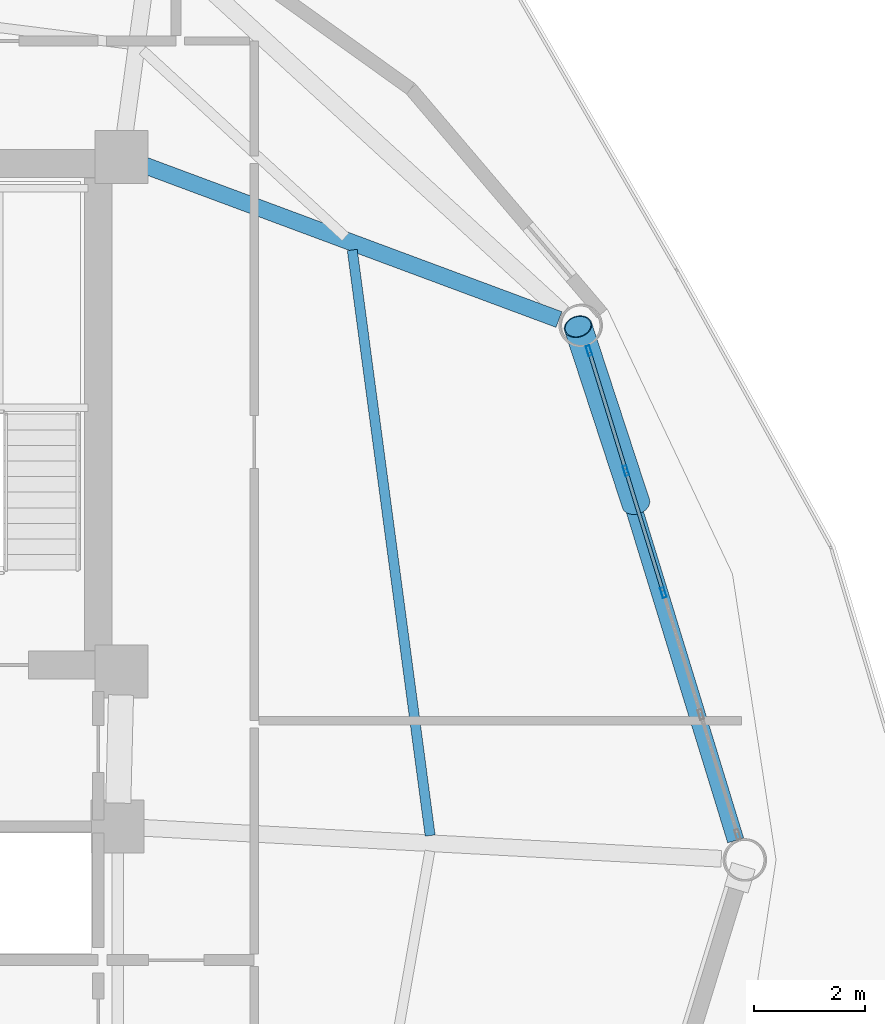
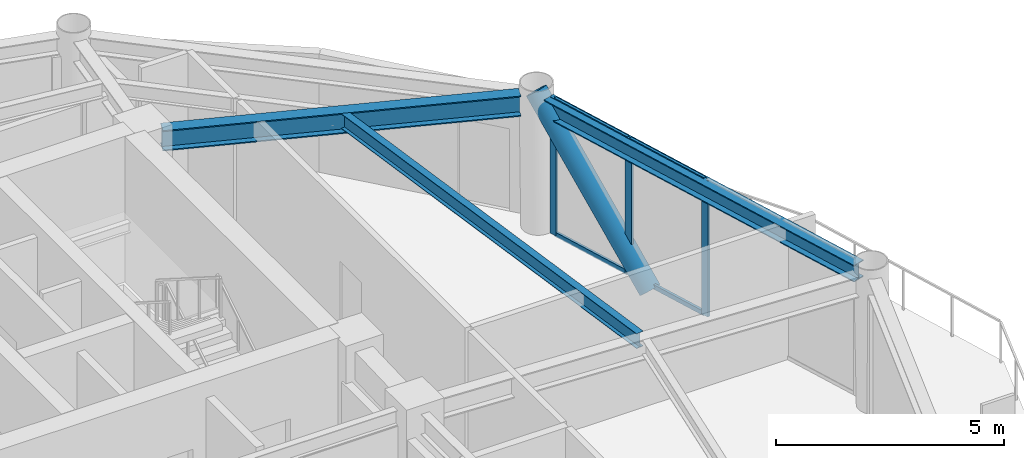
# One storey, part 14 of 23: 8 members, 3 beams, 1 element without a shape of its own.
"""IFC4 building model written with IfcOpenShell, lengths in metres."""

from ifc_helpers import new_model, si_unit, direction, frame, origin, origin_2d, place, context, subcontext, project, spatial, hollow_rectangle, hollow_circle, i_section, extrude, material, layer, layer_set, material_profile, profile_set, type_object, element, aggregate, save


model = new_model("IFC4")

# Units and contexts
model_context = context("Model", 3, precision=1e-05, world=origin(), true_north=direction((0.0, 1.0)))
body_context = subcontext(model_context, "Body", "Model", "MODEL_VIEW")
ifc_project = project(units=[si_unit("LENGTHUNIT", "METRE"), si_unit("AREAUNIT", "SQUARE_METRE"), si_unit("VOLUMEUNIT", "CUBIC_METRE"), si_unit("PLANEANGLEUNIT", "RADIAN"), si_unit("MASSUNIT", "GRAM", prefix="KILO")], contexts=[model_context])

# Site, building, storey
site_placement = place(None, origin())
site = spatial("IfcSite", under=ifc_project, at=site_placement, CompositionType="ELEMENT")
building_placement = place(site_placement, origin())
building = spatial("IfcBuilding", under=site, at=building_placement, Name="Varnakorn Sky Granary", CompositionType="ELEMENT")
storey_placement = place(building_placement, frame((0.0, 0.0, 130.5)))
storey = spatial("IfcBuildingStorey", under=building, at=storey_placement, Name="L32", CompositionType="ELEMENT", Elevation=130.5)

# Beams
ifc_material_1 = material(Name="Steel S355JR", Category="steel")
ifc_material_profile_1 = material_profile(ifc_material_1, i_section(OverallWidth=0.300048828125, OverallDepth=0.550048828125, WebThickness=0.014892578125, FlangeThickness=0.029052734375, at=origin_2d()), Name="HE 550 B")
ifc_profile_set_1 = profile_set([ifc_material_profile_1], Name="Steel S355JR")
beam_type_1 = type_object("IfcBeamType", Name="BM-RAD-Z3", PredefinedType="BEAM", material=ifc_profile_set_1)
beam_1_placement = place(storey_placement, frame((8.813720703125, 12.4736328125, 3.364990234375), z_axis=(0.93724284259, -0.348677292083, 0.0), x_axis=(0.348677292083, 0.93724284259, 0.0)))
element("IfcBeam", 1, at=beam_1_placement, inside=storey, type_object=beam_type_1, Name="Radial Floor Girder RG02 L32", PredefinedType="BEAM", context=body_context, shape_type="SweptSolid", body=[
    extrude(i_section(OverallWidth=0.300048828125, OverallDepth=0.550048828125, WebThickness=0.014892578125, FlangeThickness=0.029052734375, at=origin_2d()), origin(), (0.0, 0.0, 1.0), 7.95556640625),
])
ifc_material_profile_2 = material_profile(ifc_material_1, i_section(OverallWidth=0.179931640625, OverallDepth=0.39990234375, WebThickness=0.008544921875, FlangeThickness=0.013427734375, at=origin_2d()), Name="IPE 400")
ifc_profile_set_2 = profile_set([ifc_material_profile_2], Name="Steel S355JR")
beam_type_2 = type_object("IfcBeamType", Name="BM-SEC-Z3", PredefinedType="BEAM", material=ifc_profile_set_2)
beam_2_placement = place(storey_placement, frame((13.95849609375, 0.437255859375, 3.43994140625), z_axis=(-0.131866595708, 0.991267471945, 0.0), x_axis=(-0.991267471945, -0.131866595708, 0.0)))
element("IfcBeam", 2, at=beam_2_placement, inside=storey, type_object=beam_type_2, Name="Secondary Floor Chord Beam MSB01 L32", PredefinedType="BEAM", context=body_context, shape_type="SweptSolid", body=[
    extrude(i_section(OverallWidth=0.179931640625, OverallDepth=0.39990234375, WebThickness=0.008544921875, FlangeThickness=0.013427734375, at=origin_2d()), origin(), (0.0, 0.0, 1.0), 10.60302734375),
])
ifc_material_profile_3 = material_profile(ifc_material_1, i_section(OverallWidth=0.300048828125, OverallDepth=0.449951171875, WebThickness=0.013916015625, FlangeThickness=0.02587890625, at=origin_2d()), Name="HE 450 B")
ifc_profile_set_3 = profile_set([ifc_material_profile_3], Name="Steel S355JR")
beam_type_3 = type_object("IfcBeamType", Name="BM-SPD-Z3", PredefinedType="SPANDREL", material=ifc_profile_set_3)
beam_3_placement = place(storey_placement, frame((19.442626953125, 0.349853515625, 3.4150390625), z_axis=(-0.293344484103, 0.956006806276, 0.0), x_axis=(-0.956006806276, -0.293344484103, 0.0)))
element("IfcBeam", 3, at=beam_3_placement, inside=storey, type_object=beam_type_3, Name="Perimeter Spandrel Ring Beam RB01 L32", PredefinedType="SPANDREL", context=body_context, shape_type="SweptSolid", body=[
    extrude(i_section(OverallWidth=0.300048828125, OverallDepth=0.449951171875, WebThickness=0.013916015625, FlangeThickness=0.02587890625, at=origin_2d()), origin(), (0.0, 0.0, 1.0), 9.280517578125),
])

# Curtain wall, members
ifc_material_2 = material(Name="Anodised Bronze Aluminium Alloy 6063-T6", Category="aluminium")
ifc_layer = layer(ifc_material_2, 0.179931640625, Name="Anodised Bronze Aluminium Alloy 6063-T6")
ifc_layer_set = layer_set([ifc_layer], Name="Anodised Bronze Aluminium Alloy 6063-T6")
curtain_wall_type = type_object("IfcCurtainWallType", Name="CW-FRM-2", PredefinedType="USERDEFINED", material=ifc_layer_set)
curtain_wall_placement = place(storey_placement, origin())
curtain_wall = element("IfcCurtainWall", 4, at=curtain_wall_placement, inside=storey, type_object=curtain_wall_type, Name="Unitised Curtain Wall CW4 CW-L32-B01", ObjectType="CURTAIN WALL", PredefinedType="USERDEFINED")
ifc_material_profile_4 = material_profile(ifc_material_2, hollow_rectangle(XDim=0.070068359375, YDim=0.18505859375, WallThickness=0.00390625, at=origin_2d()), Name="ALU MULL 70x185")
ifc_profile_set_4 = profile_set([ifc_material_profile_4], Name="Anodised Bronze Aluminium Alloy 6063-T6")
member_type_1 = type_object("IfcMemberType", Name="CW-FRM-2-MULL", PredefinedType="MULLION", material=ifc_profile_set_4)
member_1_placement = place(storey_placement, frame((16.810546875, 9.140380859375, 0.0), z_axis=(0.0, 0.0, 1.0), x_axis=(0.955954304208, 0.293515533262, 0.0)))
member_1 = element("IfcMember", 5, at=member_1_placement, type_object=member_type_1, Name="CW4 mullion 1", PredefinedType="MULLION", context=body_context, shape_type="SweptSolid", body=[
    extrude(hollow_rectangle(XDim=0.070068359375, YDim=0.18505859375, WallThickness=0.00390625, at=origin_2d()), origin(), (0.0, 0.0, 1.0), 3.639892578125),
])
member_2_placement = place(storey_placement, frame((17.47216796875, 6.98583984375, 0.0), z_axis=(0.0, 0.0, 1.0), x_axis=(0.955954304208, 0.293515533262, 0.0)))
member_2 = element("IfcMember", 6, at=member_2_placement, type_object=member_type_1, Name="CW4 mullion 2", PredefinedType="MULLION", context=body_context, shape_type="SweptSolid", body=[
    extrude(hollow_rectangle(XDim=0.070068359375, YDim=0.18505859375, WallThickness=0.00390625, at=origin_2d()), origin(), (0.0, 0.0, 1.0), 3.639892578125),
])
member_3_placement = place(storey_placement, frame((18.14404296875, 4.7978515625, 0.0), z_axis=(0.0, 0.0, 1.0), x_axis=(0.955954304208, 0.293515533262, 0.0)))
member_3 = element("IfcMember", 7, at=member_3_placement, type_object=member_type_1, Name="CW4 mullion 3", PredefinedType="MULLION", context=body_context, shape_type="SweptSolid", body=[
    extrude(hollow_rectangle(XDim=0.070068359375, YDim=0.18505859375, WallThickness=0.00390625, at=origin_2d()), origin(), (0.0, 0.0, 1.0), 3.639892578125),
])
ifc_material_profile_5 = material_profile(ifc_material_2, hollow_rectangle(XDim=0.06494140625, YDim=0.1201171875, WallThickness=0.00341796875, at=origin_2d()), Name="ALU TRAN 65x120")
ifc_profile_set_5 = profile_set([ifc_material_profile_5], Name="Anodised Bronze Aluminium Alloy 6063-T6")
member_type_2 = type_object("IfcMemberType", Name="CW-FRM-2-TRAN", PredefinedType="USERDEFINED", material=ifc_profile_set_5)
member_4_placement = place(storey_placement, frame((16.82080078125, 9.10693359375, 0.032470703125), z_axis=(0.293567329684, -0.955938399136, 0.0), x_axis=(0.955938399136, 0.293567329684, 0.0)))
member_4 = element("IfcMember", 8, at=member_4_placement, type_object=member_type_2, Name="CW4 transom 1.1", ObjectType="TRANSOM", PredefinedType="USERDEFINED", context=body_context, shape_type="SweptSolid", body=[
    extrude(hollow_rectangle(XDim=0.06494140625, YDim=0.1201171875, WallThickness=0.00341796875, at=origin_2d()), origin(), (0.0, 0.0, 1.0), 2.183837890625),
])
member_5_placement = place(storey_placement, frame((16.82080078125, 9.10693359375, 3.607421875), z_axis=(0.293567329684, -0.955938399136, 0.0), x_axis=(0.955938399136, 0.293567329684, 0.0)))
member_5 = element("IfcMember", 9, at=member_5_placement, type_object=member_type_2, Name="CW4 transom 1.2", ObjectType="TRANSOM", PredefinedType="USERDEFINED", context=body_context, shape_type="SweptSolid", body=[
    extrude(hollow_rectangle(XDim=0.06494140625, YDim=0.1201171875, WallThickness=0.00341796875, at=origin_2d()), origin(), (0.0, 0.0, 1.0), 2.183837890625),
])
member_6_placement = place(storey_placement, frame((17.482421875, 6.952392578125, 0.032470703125), z_axis=(0.293560039371, -0.95594063795, 0.0), x_axis=(0.95594063795, 0.293560039371, 0.0)))
member_6 = element("IfcMember", 10, at=member_6_placement, type_object=member_type_2, Name="CW4 transom 2.1", ObjectType="TRANSOM", PredefinedType="USERDEFINED", context=body_context, shape_type="SweptSolid", body=[
    extrude(hollow_rectangle(XDim=0.06494140625, YDim=0.1201171875, WallThickness=0.00341796875, at=origin_2d()), origin(), (0.0, 0.0, 1.0), 2.21875),
])
member_7_placement = place(storey_placement, frame((17.482421875, 6.952392578125, 3.607421875), z_axis=(0.293560039371, -0.95594063795, 0.0), x_axis=(0.95594063795, 0.293560039371, 0.0)))
member_7 = element("IfcMember", 11, at=member_7_placement, type_object=member_type_2, Name="CW4 transom 2.2", ObjectType="TRANSOM", PredefinedType="USERDEFINED", context=body_context, shape_type="SweptSolid", body=[
    extrude(hollow_rectangle(XDim=0.06494140625, YDim=0.1201171875, WallThickness=0.00341796875, at=origin_2d()), origin(), (0.0, 0.0, 1.0), 2.21875),
])
aggregate(curtain_wall, [member_1, member_2, member_3, member_4, member_5, member_6, member_7])

# Member
ifc_material_3 = material(Name="Steel S460M", Category="steel")
ifc_material_profile_6 = material_profile(ifc_material_3, hollow_circle(Radius=0.25390625, WallThickness=0.01806640625, at=origin_2d()), Name="CHS 508x18")
ifc_profile_set_6 = profile_set([ifc_material_profile_6], Name="Steel S460M")
member_type_3 = type_object("IfcMemberType", Name="MB-DIAG-T2", PredefinedType="BRACE", material=ifc_profile_set_6)
member_8_placement = place(storey_placement, frame((17.65283203125, 6.39697265625, -0.1298828125), z_axis=(-0.206469877333, 0.630314731153, 0.74838060467), x_axis=(-0.95031461847, -0.311291063028, 0.0)))
element("IfcMember", 12, at=member_8_placement, inside=storey, type_object=member_type_3, Name="Perimeter CHS Diagrid Brace DG01 L32", PredefinedType="BRACE", context=body_context, shape_type="SweptSolid", body=[
    extrude(hollow_circle(Radius=0.25390625, WallThickness=0.01806640625, at=origin_2d()), origin(), (0.0, 0.0, 1.0), 5.037353515625),
])

save(model, "model.ifc")
